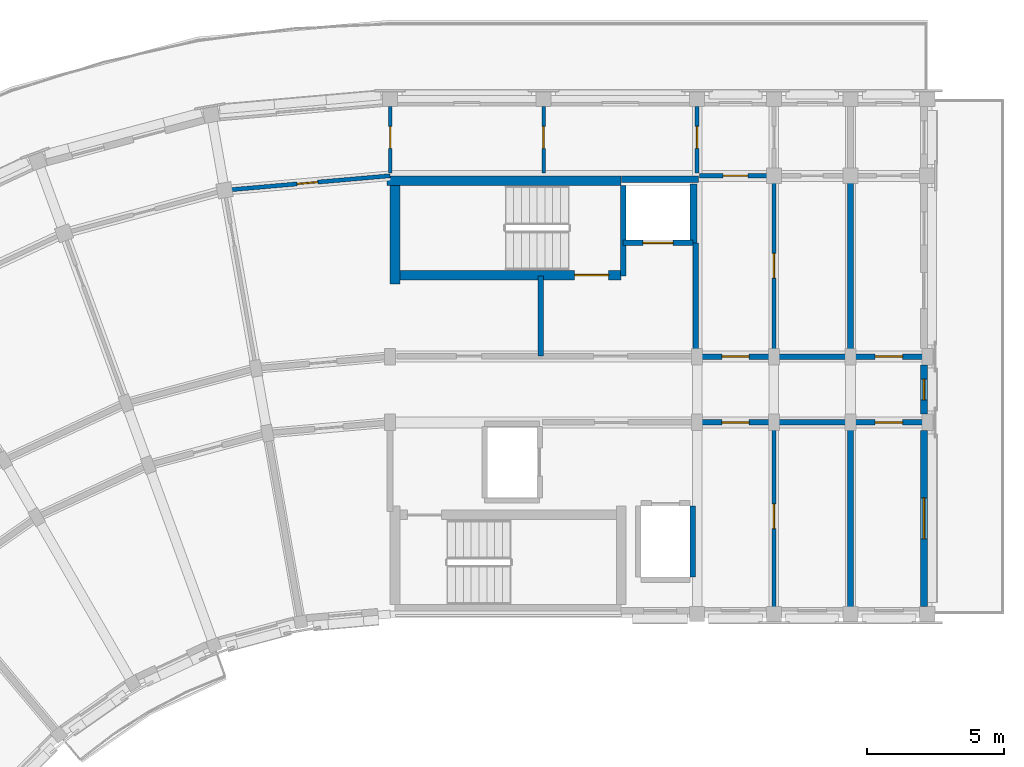
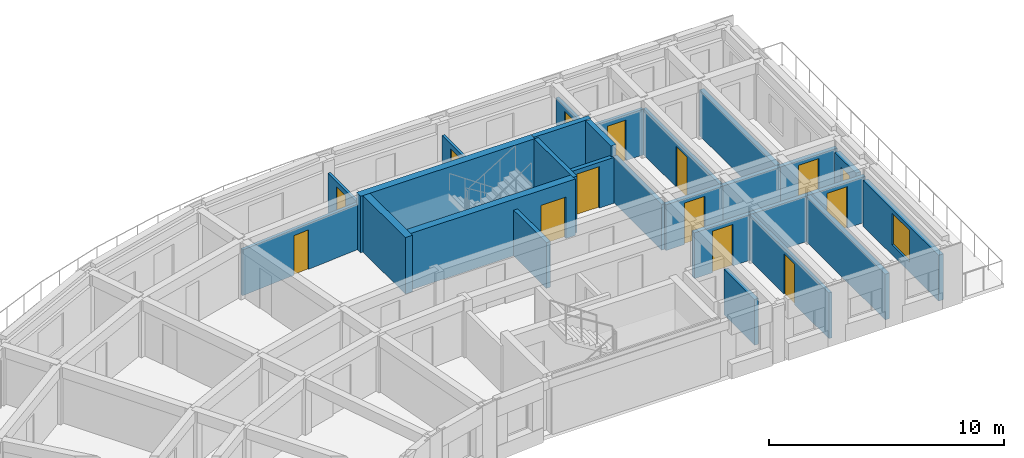
# One storey, part 10 of 16: 27 walls, 13 doors, 2 windows, 15 openings.
"""IFC4 building model written with IfcOpenShell, lengths in metres."""

from ifc_helpers import new_model, si_unit, direction, frame, frame_2d, origin, place, context, subcontext, project, spatial, rectangle, extrude, material, layer, layer_set, type_object, element, fill, save


model = new_model("IFC4")

# Units and contexts
model_context = context("Model", 3, precision=1e-05, world=origin(), true_north=direction((0.0, 1.0)))
body_context = subcontext(model_context, "Body", "Model", "MODEL_VIEW")
ifc_project = project(units=[si_unit("LENGTHUNIT", "METRE"), si_unit("AREAUNIT", "SQUARE_METRE"), si_unit("VOLUMEUNIT", "CUBIC_METRE"), si_unit("PLANEANGLEUNIT", "RADIAN"), si_unit("MASSUNIT", "GRAM", prefix="KILO")], contexts=[model_context])

# Site, building, storey
site_placement = place(None, origin())
site = spatial("IfcSite", under=ifc_project, at=site_placement, CompositionType="ELEMENT")
building_placement = place(site_placement, origin())
building = spatial("IfcBuilding", under=site, at=building_placement, Name="Kiranvali Square Residences", CompositionType="ELEMENT")
storey_placement = place(building_placement, frame((0.0, 0.0, 46.5)))
storey = spatial("IfcBuildingStorey", under=building, at=storey_placement, Name="L14", CompositionType="ELEMENT", Elevation=46.5)

# Wall, opening, door
ifc_material_1 = material(Name="Autoclaved aerated concrete blockwork masonry", Category="masonry")
ifc_layer_1 = layer(ifc_material_1, 0.199951171875)
ifc_layer_set_1 = layer_set([ifc_layer_1], Name="Autoclaved aerated concrete blockwork masonry")
wall_type_1 = type_object("IfcWallType", Name="WL-COR-200", PredefinedType="STANDARD", material=ifc_layer_set_1)
wall_1_placement = place(storey_placement, frame((59.39990234375, 113.60009765625, 0.0), z_axis=(0.0, 0.0, 1.0), x_axis=(1.0, 0.0, 0.0)))
wall_1 = element("IfcWall", 1, at=wall_1_placement, inside=storey, type_object=wall_type_1, Name="L14 architectural wall WL-L14-A-A1CI-0", PredefinedType="STANDARD", context=body_context, shape_type="SweptSolid", body=[
    extrude(rectangle(XDim=2.800048828125, YDim=0.199951171875, at=frame_2d((1.39990234375, 0.0))), origin(), (0.0, 0.0, 1.0), 2.3720703125),
])
opening_1_placement = place(wall_1_placement, frame((0.89990234375, 0.0, 0.0)))
opening_1 = element("IfcOpeningElement", 2, at=opening_1_placement, cuts=wall_1, Name="Opening FD-APT-60", PredefinedType="OPENING", context=body_context, shape_type="SweptSolid", body=[
    extrude(rectangle(XDim=1.0, YDim=2.14990234375, at=frame_2d((0.5, 1.074951171875))), frame((0.0, 0.10986328125, 0.0), z_axis=(0.0, -1.0, 0.0), x_axis=(1.0, 0.0, 0.0)), (0.0, 0.0, 1.0), 0.219970703125),
])
ifc_material_2 = material(Name="Fire-rated acoustic hardwood and mineral-core door assembly", Category="wood")
door_type_1 = type_object("IfcDoorType", Name="DR-APT-1000", OperationType="NOTDEFINED", PredefinedType="DOOR", material=ifc_material_2)
door_1_placement = place(opening_1_placement, frame((1.0, 0.0, 0.0), z_axis=(0.0, 0.0, 1.0), x_axis=(-1.0, 0.0, 0.0)))
door_1 = element("IfcDoor", 3, at=door_1_placement, inside=storey, type_object=door_type_1, Name="L14 door DR-L14-0860 (DR-APT-1000)", OperationType="SINGLE_SWING_RIGHT", OverallHeight=2.14990234375, OverallWidth=1.0, PredefinedType="DOOR", context=body_context, shape_type="SweptSolid", body=[
    extrude(rectangle(XDim=1.0, YDim=2.14990234375, at=frame_2d((0.5, 1.074951171875))), frame((0.0, 0.02490234375, 0.0), z_axis=(0.0, -1.0, 0.0), x_axis=(1.0, 0.0, 0.0)), (0.0, 0.0, 1.0), 0.050048828125),
])
fill(opening_1, door_1)

wall_2_placement = place(storey_placement, frame((59.39990234375, 116.0, 0.0), z_axis=(0.0, 0.0, 1.0), x_axis=(1.0, 0.0, 0.0)))
wall_2 = element("IfcWall", 4, at=wall_2_placement, inside=storey, type_object=wall_type_1, Name="L14 architectural wall WL-L14-A-A1CO-0", PredefinedType="STANDARD", context=body_context, shape_type="SweptSolid", body=[
    extrude(rectangle(XDim=2.800048828125, YDim=0.199951171875, at=frame_2d((1.39990234375, 0.0))), origin(), (0.0, 0.0, 1.0), 2.3720703125),
])
opening_2_placement = place(wall_2_placement, frame((0.89990234375, 0.0, 0.0)))
opening_2 = element("IfcOpeningElement", 5, at=opening_2_placement, cuts=wall_2, Name="Opening FD-APT-60", PredefinedType="OPENING", context=body_context, shape_type="SweptSolid", body=[
    extrude(rectangle(XDim=1.0, YDim=2.14990234375, at=frame_2d((0.5, 1.074951171875))), frame((0.0, 0.10986328125, 0.0), z_axis=(0.0, -1.0, 0.0), x_axis=(1.0, 0.0, 0.0)), (0.0, 0.0, 1.0), 0.219970703125),
])
door_2_placement = place(opening_2_placement, frame((1.0, 0.0, 0.0), z_axis=(0.0, 0.0, 1.0), x_axis=(-1.0, 0.0, 0.0)))
door_2 = element("IfcDoor", 6, at=door_2_placement, inside=storey, type_object=door_type_1, Name="L14 door DR-L14-0862 (DR-APT-1000)", OperationType="SINGLE_SWING_RIGHT", OverallHeight=2.14990234375, OverallWidth=1.0, PredefinedType="DOOR", context=body_context, shape_type="SweptSolid", body=[
    extrude(rectangle(XDim=1.0, YDim=2.14990234375, at=frame_2d((0.5, 1.074951171875))), frame((0.0, 0.02490234375, 0.0), z_axis=(0.0, -1.0, 0.0), x_axis=(1.0, 0.0, 0.0)), (0.0, 0.0, 1.0), 0.050048828125),
])
fill(opening_2, door_2)

# Walls
for number, where, z_axis, x_axis, name in (
    (7, (62.199951171875, 113.60009765625, 0.0), (0.0, 0.0, 1.0), (1.0, 0.0, 0.0), "L14 architectural wall WL-L14-A-A1CI-1"),
    (8, (62.199951171875, 116.0, 0.0), (0.0, 0.0, 1.0), (1.0, 0.0, 0.0), "L14 architectural wall WL-L14-A-A1CO-1"),
):
    element("IfcWall", number, at=place(storey_placement, frame(where, z_axis=z_axis, x_axis=x_axis)), inside=storey, type_object=wall_type_1, Name=name, PredefinedType="STANDARD", context=body_context, shape_type="SweptSolid", body=[
        extrude(rectangle(XDim=2.800048828125, YDim=0.199951171875, at=frame_2d((1.39990234375, 0.0))), origin(), (0.0, 0.0, 1.0), 2.3720703125),
    ])

# Wall, opening, door
wall_3_placement = place(storey_placement, frame((65.0, 113.60009765625, 0.0), z_axis=(0.0, 0.0, 1.0), x_axis=(1.0, 0.0, 0.0)))
wall_3 = element("IfcWall", 9, at=wall_3_placement, inside=storey, type_object=wall_type_1, Name="L14 architectural wall WL-L14-A-A1CI-2", PredefinedType="STANDARD", context=body_context, shape_type="SweptSolid", body=[
    extrude(rectangle(XDim=2.800048828125, YDim=0.199951171875, at=frame_2d((1.39990234375, 0.0))), origin(), (0.0, 0.0, 1.0), 2.3720703125),
])
opening_3_placement = place(wall_3_placement, frame((0.89990234375, 0.0, 0.0)))
opening_3 = element("IfcOpeningElement", 10, at=opening_3_placement, cuts=wall_3, Name="Opening FD-APT-60", PredefinedType="OPENING", context=body_context, shape_type="SweptSolid", body=[
    extrude(rectangle(XDim=1.0, YDim=2.14990234375, at=frame_2d((0.5, 1.074951171875))), frame((0.0, 0.10986328125, 0.0), z_axis=(0.0, -1.0, 0.0), x_axis=(1.0, 0.0, 0.0)), (0.0, 0.0, 1.0), 0.219970703125),
])
door_3_placement = place(opening_3_placement, frame((1.0, 0.0, 0.0), z_axis=(0.0, 0.0, 1.0), x_axis=(-1.0, 0.0, 0.0)))
door_3 = element("IfcDoor", 11, at=door_3_placement, inside=storey, type_object=door_type_1, Name="L14 door DR-L14-0864 (DR-APT-1000)", OperationType="SINGLE_SWING_RIGHT", OverallHeight=2.14990234375, OverallWidth=1.0, PredefinedType="DOOR", context=body_context, shape_type="SweptSolid", body=[
    extrude(rectangle(XDim=1.0, YDim=2.14990234375, at=frame_2d((0.5, 1.074951171875))), frame((0.0, 0.02490234375, 0.0), z_axis=(0.0, -1.0, 0.0), x_axis=(1.0, 0.0, 0.0)), (0.0, 0.0, 1.0), 0.050048828125),
])
fill(opening_3, door_3)

wall_4_placement = place(storey_placement, frame((65.0, 116.0, 0.0), z_axis=(0.0, 0.0, 1.0), x_axis=(1.0, 0.0, 0.0)))
wall_4 = element("IfcWall", 12, at=wall_4_placement, inside=storey, type_object=wall_type_1, Name="L14 architectural wall WL-L14-A-A1CO-2", PredefinedType="STANDARD", context=body_context, shape_type="SweptSolid", body=[
    extrude(rectangle(XDim=2.800048828125, YDim=0.199951171875, at=frame_2d((1.39990234375, 0.0))), origin(), (0.0, 0.0, 1.0), 2.3720703125),
])
opening_4_placement = place(wall_4_placement, frame((0.89990234375, 0.0, 0.0)))
opening_4 = element("IfcOpeningElement", 13, at=opening_4_placement, cuts=wall_4, Name="Opening FD-APT-60", PredefinedType="OPENING", context=body_context, shape_type="SweptSolid", body=[
    extrude(rectangle(XDim=1.0, YDim=2.14990234375, at=frame_2d((0.5, 1.074951171875))), frame((0.0, 0.10986328125, 0.0), z_axis=(0.0, -1.0, 0.0), x_axis=(1.0, 0.0, 0.0)), (0.0, 0.0, 1.0), 0.219970703125),
])
door_4_placement = place(opening_4_placement, frame((1.0, 0.0, 0.0), z_axis=(0.0, 0.0, 1.0), x_axis=(-1.0, 0.0, 0.0)))
door_4 = element("IfcDoor", 14, at=door_4_placement, inside=storey, type_object=door_type_1, Name="L14 door DR-L14-0866 (DR-APT-1000)", OperationType="SINGLE_SWING_RIGHT", OverallHeight=2.14990234375, OverallWidth=1.0, PredefinedType="DOOR", context=body_context, shape_type="SweptSolid", body=[
    extrude(rectangle(XDim=1.0, YDim=2.14990234375, at=frame_2d((0.5, 1.074951171875))), frame((0.0, 0.02490234375, 0.0), z_axis=(0.0, -1.0, 0.0), x_axis=(1.0, 0.0, 0.0)), (0.0, 0.0, 1.0), 0.050048828125),
])
fill(opening_4, door_4)

# Walls
ifc_layer_2 = layer(ifc_material_1, 0.219970703125)
ifc_layer_set_2 = layer_set([ifc_layer_2], Name="Autoclaved aerated concrete blockwork masonry")
wall_type_2 = type_object("IfcWallType", Name="WL-DEM-220", PredefinedType="STANDARD", material=ifc_layer_set_2)
wall_5_placement = place(storey_placement, frame((65.0, 106.800048828125, 0.0), z_axis=(0.0, 0.0, 1.0), x_axis=(0.0, 1.0, 0.0)))
element("IfcWall", 15, at=wall_5_placement, inside=storey, type_object=wall_type_2, Name="L14 architectural wall WL-L14-A-A1TI-2", PredefinedType="STANDARD", context=body_context, shape_type="SweptSolid", body=[
    extrude(rectangle(XDim=6.75, YDim=0.219970703125, at=frame_2d((3.375, 0.0))), origin(), (0.0, 0.0, 1.0), 2.3720703125),
])
wall_6_placement = place(storey_placement, frame((65.0, 116.050048828125, 0.0), z_axis=(0.0, 0.0, 1.0), x_axis=(0.0, 1.0, 0.0)))
element("IfcWall", 16, at=wall_6_placement, inside=storey, type_object=wall_type_2, Name="L14 architectural wall WL-L14-A-A1TO1-2", PredefinedType="STANDARD", context=body_context, shape_type="SweptSolid", body=[
    extrude(rectangle(XDim=6.530029296875, YDim=0.219970703125, at=frame_2d((3.26513671875, 0.0))), origin(), (0.0, 0.0, 1.0), 2.3720703125),
])

# Wall, opening, window
ifc_material_3 = material(Name="Breathable lime-rendered clay brick masonry", Category="masonry")
ifc_layer_3 = layer(ifc_material_3, 0.25)
ifc_layer_set_3 = layer_set([ifc_layer_3], Name="Breathable lime-rendered clay brick masonry")
wall_type_3 = type_object("IfcWallType", Name="WL-EXT-250", PredefinedType="STANDARD", material=ifc_layer_set_3)
wall_7_placement = place(storey_placement, frame((67.675048828125, 106.87841796875, 0.0), z_axis=(0.0, 0.0, 1.0), x_axis=(0.0, 1.0, 0.0)))
wall_7 = element("IfcWall", 17, at=wall_7_placement, inside=storey, type_object=wall_type_3, Name="L14 exterior wall A-L14-A1END-0", PredefinedType="STANDARD", context=body_context, shape_type="SweptSolid", body=[
    extrude(rectangle(XDim=6.41796875, YDim=0.25, at=frame_2d((3.208984375, 0.0))), origin(), (0.0, 0.0, 1.0), 2.3720703125),
])
opening_5_placement = place(wall_7_placement, frame((2.471435546875, 0.0, 0.52197265625)))
opening_5 = element("IfcOpeningElement", 18, at=opening_5_placement, cuts=wall_7, Name="Opening W-05", PredefinedType="OPENING", context=body_context, shape_type="SweptSolid", body=[
    extrude(rectangle(XDim=1.5, YDim=1.64990234375, at=frame_2d((0.75, 0.824951171875))), frame((0.0, 0.135009765625, 0.0), z_axis=(0.0, -1.0, 0.0), x_axis=(1.0, 0.0, 0.0)), (0.0, 0.0, 1.0), 0.27001953125),
])
ifc_material_4 = material(Name="Solar-control low-e double glazing", Category="glass")
window_type_1 = type_object("IfcWindowType", Name="WIN-RES-1500x1650", PartitioningType="DOUBLE_PANEL_VERTICAL", PredefinedType="WINDOW", material=ifc_material_4)
window_1_placement = place(opening_5_placement, origin())
window_1 = element("IfcWindow", 19, at=window_1_placement, inside=storey, type_object=window_type_1, Name="L14 recessed window A-L14-A1END-0", OverallHeight=1.64990234375, OverallWidth=1.5, PartitioningType="DOUBLE_PANEL_VERTICAL", PredefinedType="WINDOW", context=body_context, shape_type="SweptSolid", body=[
    extrude(rectangle(XDim=1.5, YDim=1.64990234375, at=frame_2d((0.75, 0.824951171875))), frame((0.0, 0.030029296875, 0.0), z_axis=(0.0, -1.0, 0.0), x_axis=(1.0, 0.0, 0.0)), (0.0, 0.0, 1.0), 0.06005859375),
])
fill(opening_5, window_1)

wall_8_placement = place(storey_placement, frame((67.675048828125, 113.903564453125, 0.0), z_axis=(0.0, 0.0, 1.0), x_axis=(0.0, 1.0, 0.0)))
wall_8 = element("IfcWall", 20, at=wall_8_placement, inside=storey, type_object=wall_type_3, Name="L14 exterior wall A-L14-A1END-1", PredefinedType="STANDARD", context=body_context, shape_type="SweptSolid", body=[
    extrude(rectangle(XDim=1.79296875, YDim=0.25, at=frame_2d((0.896484375, 0.0))), origin(), (0.0, 0.0, 1.0), 2.3720703125),
])
opening_6_placement = place(wall_8_placement, frame((0.521484375, 0.0, 0.8798828125)))
opening_6 = element("IfcOpeningElement", 21, at=opening_6_placement, cuts=wall_8, Name="Opening W-07", PredefinedType="OPENING", context=body_context, shape_type="SweptSolid", body=[
    extrude(rectangle(XDim=0.75, YDim=1.050048828125, at=frame_2d((0.375, 0.52490234375))), frame((0.0, 0.135009765625, 0.0), z_axis=(0.0, -1.0, 0.0), x_axis=(1.0, 0.0, 0.0)), (0.0, 0.0, 1.0), 0.27001953125),
])
window_type_2 = type_object("IfcWindowType", Name="WIN-WET-750x1050", PartitioningType="SINGLE_PANEL", PredefinedType="WINDOW", material=ifc_material_4)
window_2_placement = place(opening_6_placement, origin())
window_2 = element("IfcWindow", 22, at=window_2_placement, inside=storey, type_object=window_type_2, Name="L14 recessed window A-L14-A1END-1", OverallHeight=1.050048828125, OverallWidth=0.75, PartitioningType="SINGLE_PANEL", PredefinedType="WINDOW", context=body_context, shape_type="SweptSolid", body=[
    extrude(rectangle(XDim=0.75, YDim=1.050048828125, at=frame_2d((0.375, 0.52490234375))), frame((0.0, 0.030029296875, 0.0), z_axis=(0.0, -1.0, 0.0), x_axis=(1.0, 0.0, 0.0)), (0.0, 0.0, 1.0), 0.06005859375),
])
fill(opening_6, window_2)

# Walls
ifc_layer_4 = layer(ifc_material_1, 0.199951171875)
ifc_layer_set_4 = layer_set([ifc_layer_4], Name="Autoclaved aerated concrete blockwork masonry")
wall_type_4 = type_object("IfcWallType", Name="WL-FFL-200", PredefinedType="STANDARD", material=ifc_layer_set_4)
wall_9_placement = place(storey_placement, frame((53.699951171875, 116.02001953125, 0.0), z_axis=(0.0, 0.0, 1.0), x_axis=(0.0, 1.0, 0.0)))
element("IfcWall", 23, at=wall_9_placement, inside=storey, type_object=wall_type_4, Name="L14 architectural wall WL-L14-A-FF-DIV", PredefinedType="STANDARD", context=body_context, shape_type="SweptSolid", body=[
    extrude(rectangle(XDim=2.929931640625, YDim=0.199951171875, at=frame_2d((1.46484375, 0.0))), origin(), (0.0, 0.0, 1.0), 2.3720703125),
])
wall_10_placement = place(storey_placement, frame((59.35009765625, 116.02001953125, 0.0), z_axis=(0.0, 0.0, 1.0), x_axis=(0.0, 1.0, 0.0)))
element("IfcWall", 24, at=wall_10_placement, inside=storey, type_object=wall_type_4, Name="L14 architectural wall WL-L14-A-FF-END", PredefinedType="STANDARD", context=body_context, shape_type="SweptSolid", body=[
    extrude(rectangle(XDim=4.1298828125, YDim=0.199951171875, at=frame_2d((2.06494140625, 0.0))), origin(), (0.0, 0.0, 1.0), 2.3720703125),
])

# Wall, opening, door
wall_11_placement = place(storey_placement, frame((56.699951171875, 120.14990234375, 0.0), z_axis=(0.0, 0.0, 1.0), x_axis=(1.0, 0.0, 0.0)))
wall_11 = element("IfcWall", 25, at=wall_11_placement, inside=storey, type_object=wall_type_4, Name="L14 architectural wall WL-L14-A-FF-LFT", PredefinedType="STANDARD", context=body_context, shape_type="SweptSolid", body=[
    extrude(rectangle(XDim=2.550048828125, YDim=0.199951171875, at=frame_2d((1.27490234375, 0.0))), origin(), (0.0, 0.0, 1.0), 2.3720703125),
])
opening_7_placement = place(wall_11_placement, frame((0.72509765625, 0.0, 0.0)))
opening_7 = element("IfcOpeningElement", 26, at=opening_7_placement, cuts=wall_11, Name="Opening LD-FF-110", PredefinedType="OPENING", context=body_context, shape_type="SweptSolid", body=[
    extrude(rectangle(XDim=1.10009765625, YDim=2.14990234375, at=frame_2d((0.550048828125, 1.074951171875))), frame((0.0, 0.10986328125, 0.0), z_axis=(0.0, -1.0, 0.0), x_axis=(1.0, 0.0, 0.0)), (0.0, 0.0, 1.0), 0.219970703125),
])
door_type_2 = type_object("IfcDoorType", Name="DR-LIFT-FF-1100", OperationType="SLIDING_TO_LEFT", PredefinedType="DOOR", material=ifc_material_2)
door_5_placement = place(opening_7_placement, origin())
door_5 = element("IfcDoor", 27, at=door_5_placement, inside=storey, type_object=door_type_2, Name="L14 door DR-L14-0850 (DR-LIFT-FF-1100)", OperationType="SLIDING_TO_LEFT", OverallHeight=2.14990234375, OverallWidth=1.10009765625, PredefinedType="DOOR", context=body_context, shape_type="SweptSolid", body=[
    extrude(rectangle(XDim=1.10009765625, YDim=2.14990234375, at=frame_2d((0.550048828125, 1.074951171875))), frame((0.0, 0.02490234375, 0.0), z_axis=(0.0, -1.0, 0.0), x_axis=(1.0, 0.0, 0.0)), (0.0, 0.0, 1.0), 0.050048828125),
])
fill(opening_7, door_5)

ifc_material_5 = material(Name="Acoustic gypsum board drylined partition", Category="gypsum")
ifc_layer_5 = layer(ifc_material_5, 0.125)
ifc_layer_set_5 = layer_set([ifc_layer_5], Name="Acoustic gypsum board drylined partition")
wall_type_5 = type_object("IfcWallType", Name="WL-PRT-125", PredefinedType="PARTITIONING", material=ifc_layer_set_5)
wall_12_placement = place(storey_placement, frame((53.800048828125, 122.699951171875, 0.0), z_axis=(0.0, 0.0, 1.0), x_axis=(0.0, 1.0, 0.0)))
wall_12 = element("IfcWall", 28, at=wall_12_placement, inside=storey, type_object=wall_type_5, Name="L14 architectural wall WL-L14-A-CF-MID", PredefinedType="PARTITIONING", context=body_context, shape_type="SweptSolid", body=[
    extrude(rectangle(XDim=2.420166015625, YDim=0.125, at=frame_2d((1.2099609375, 0.0))), origin(), (0.0, 0.0, 1.0), 2.3720703125),
])
opening_8_placement = place(wall_12_placement, frame((0.89990234375, 0.0, 0.0)))
opening_8 = element("IfcOpeningElement", 29, at=opening_8_placement, cuts=wall_12, Name="Opening ID-WET", PredefinedType="OPENING", context=body_context, shape_type="SweptSolid", body=[
    extrude(rectangle(XDim=0.800048828125, YDim=2.10009765625, at=frame_2d((0.39990234375, 1.050048828125))), frame((0.0, 0.072509765625, 0.0), z_axis=(0.0, -1.0, 0.0), x_axis=(1.0, 0.0, 0.0)), (0.0, 0.0, 1.0), 0.14501953125),
])
ifc_material_6 = material(Name="Solid seasoned teak hardwood joinery", Category="wood")
door_type_3 = type_object("IfcDoorType", Name="DR-WET-800", OperationType="NOTDEFINED", PredefinedType="DOOR", material=ifc_material_6)
door_6_placement = place(opening_8_placement, origin())
door_6 = element("IfcDoor", 30, at=door_6_placement, inside=storey, type_object=door_type_3, Name="L14 door DR-L14-0859 (DR-WET-800)", OperationType="SINGLE_SWING_LEFT", OverallHeight=2.10009765625, OverallWidth=0.800048828125, PredefinedType="DOOR", context=body_context, shape_type="SweptSolid", body=[
    extrude(rectangle(XDim=0.800048828125, YDim=2.10009765625, at=frame_2d((0.39990234375, 1.050048828125))), frame((0.0, 0.02490234375, 0.0), z_axis=(0.0, -1.0, 0.0), x_axis=(1.0, 0.0, 0.0)), (0.0, 0.0, 1.0), 0.050048828125),
])
fill(opening_8, door_6)

wall_13_placement = place(storey_placement, frame((48.199951171875, 122.699951171875, 0.0), z_axis=(0.0, 0.0, 1.0), x_axis=(0.0, 1.0, 0.0)))
wall_13 = element("IfcWall", 31, at=wall_13_placement, inside=storey, type_object=wall_type_5, Name="L14 architectural wall WL-L14-A-RADO-0", PredefinedType="PARTITIONING", context=body_context, shape_type="SweptSolid", body=[
    extrude(rectangle(XDim=2.420166015625, YDim=0.125, at=frame_2d((1.2099609375, 0.0))), origin(), (0.0, 0.0, 1.0), 2.3720703125),
])
opening_9_placement = place(wall_13_placement, frame((0.89990234375, 0.0, 0.0)))
opening_9 = element("IfcOpeningElement", 32, at=opening_9_placement, cuts=wall_13, Name="Opening ID-WET", PredefinedType="OPENING", context=body_context, shape_type="SweptSolid", body=[
    extrude(rectangle(XDim=0.800048828125, YDim=2.10009765625, at=frame_2d((0.39990234375, 1.050048828125))), frame((0.0, 0.072509765625, 0.0), z_axis=(0.0, -1.0, 0.0), x_axis=(1.0, 0.0, 0.0)), (0.0, 0.0, 1.0), 0.14501953125),
])
door_7_placement = place(opening_9_placement, origin())
door_7 = element("IfcDoor", 33, at=door_7_placement, inside=storey, type_object=door_type_3, Name="L14 door DR-L14-0871 (DR-WET-800)", OperationType="SINGLE_SWING_LEFT", OverallHeight=2.10009765625, OverallWidth=0.800048828125, PredefinedType="DOOR", context=body_context, shape_type="SweptSolid", body=[
    extrude(rectangle(XDim=0.800048828125, YDim=2.10009765625, at=frame_2d((0.39990234375, 1.050048828125))), frame((0.0, 0.02490234375, 0.0), z_axis=(0.0, -1.0, 0.0), x_axis=(1.0, 0.0, 0.0)), (0.0, 0.0, 1.0), 0.050048828125),
])
fill(opening_9, door_7)

ifc_layer_6 = layer(ifc_material_5, 0.14990234375)
ifc_layer_set_6 = layer_set([ifc_layer_6], Name="Acoustic gypsum board drylined partition")
wall_type_6 = type_object("IfcWallType", Name="WL-PRT-150", PredefinedType="PARTITIONING", material=ifc_layer_set_6)
wall_14_placement = place(storey_placement, frame((59.39990234375, 122.699951171875, 0.0), z_axis=(0.0, 0.0, 1.0), x_axis=(0.0, 1.0, 0.0)))
wall_14 = element("IfcWall", 34, at=wall_14_placement, inside=storey, type_object=wall_type_6, Name="L14 architectural wall WL-L14-A-A1TO2-0", PredefinedType="PARTITIONING", context=body_context, shape_type="SweptSolid", body=[
    extrude(rectangle(XDim=2.420166015625, YDim=0.14990234375, at=frame_2d((1.2099609375, 0.0))), origin(), (0.0, 0.0, 1.0), 2.3720703125),
])
opening_10_placement = place(wall_14_placement, frame((0.89990234375, 0.0, 0.0)))
opening_10 = element("IfcOpeningElement", 35, at=opening_10_placement, cuts=wall_14, Name="Opening ID-WET", PredefinedType="OPENING", context=body_context, shape_type="SweptSolid", body=[
    extrude(rectangle(XDim=0.800048828125, YDim=2.10009765625, at=frame_2d((0.39990234375, 1.050048828125))), frame((0.0, 0.0849609375, 0.0), z_axis=(0.0, -1.0, 0.0), x_axis=(1.0, 0.0, 0.0)), (0.0, 0.0, 1.0), 0.169921875),
])
door_8_placement = place(opening_10_placement, origin())
door_8 = element("IfcDoor", 36, at=door_8_placement, inside=storey, type_object=door_type_3, Name="L14 door DR-L14-0867 (DR-WET-800)", OperationType="SINGLE_SWING_LEFT", OverallHeight=2.10009765625, OverallWidth=0.800048828125, PredefinedType="DOOR", context=body_context, shape_type="SweptSolid", body=[
    extrude(rectangle(XDim=0.800048828125, YDim=2.10009765625, at=frame_2d((0.39990234375, 1.050048828125))), frame((0.0, 0.02490234375, 0.0), z_axis=(0.0, -1.0, 0.0), x_axis=(1.0, 0.0, 0.0)), (0.0, 0.0, 1.0), 0.050048828125),
])
fill(opening_10, door_8)

wall_15_placement = place(storey_placement, frame((62.199951171875, 106.800048828125, 0.0), z_axis=(0.0, 0.0, 1.0), x_axis=(0.0, 1.0, 0.0)))
wall_15 = element("IfcWall", 37, at=wall_15_placement, inside=storey, type_object=wall_type_6, Name="L14 architectural wall WL-L14-A-A1TI-1", PredefinedType="PARTITIONING", context=body_context, shape_type="SweptSolid", body=[
    extrude(rectangle(XDim=6.75, YDim=0.14990234375, at=frame_2d((3.375, 0.0))), origin(), (0.0, 0.0, 1.0), 2.3720703125),
])
opening_11_placement = place(wall_15_placement, frame((2.925048828125, 0.0, 0.0)))
opening_11 = element("IfcOpeningElement", 38, at=opening_11_placement, cuts=wall_15, Name="Opening ID-1", PredefinedType="OPENING", context=body_context, shape_type="SweptSolid", body=[
    extrude(rectangle(XDim=0.89990234375, YDim=2.10009765625, at=frame_2d((0.449951171875, 1.050048828125))), frame((0.0, 0.0849609375, 0.0), z_axis=(0.0, -1.0, 0.0), x_axis=(1.0, 0.0, 0.0)), (0.0, 0.0, 1.0), 0.169921875),
])
door_type_4 = type_object("IfcDoorType", Name="DR-INT-900", OperationType="NOTDEFINED", PredefinedType="DOOR", material=ifc_material_6)
door_9_placement = place(opening_11_placement, frame((0.89990234375, 0.0, 0.0), z_axis=(0.0, 0.0, 1.0), x_axis=(-1.0, 0.0, 0.0)))
door_9 = element("IfcDoor", 39, at=door_9_placement, inside=storey, type_object=door_type_4, Name="L14 door DR-L14-0868 (DR-INT-900)", OperationType="SINGLE_SWING_RIGHT", OverallHeight=2.10009765625, OverallWidth=0.89990234375, PredefinedType="DOOR", context=body_context, shape_type="SweptSolid", body=[
    extrude(rectangle(XDim=0.89990234375, YDim=2.10009765625, at=frame_2d((0.449951171875, 1.050048828125))), frame((0.0, 0.02490234375, 0.0), z_axis=(0.0, -1.0, 0.0), x_axis=(1.0, 0.0, 0.0)), (0.0, 0.0, 1.0), 0.050048828125),
])
fill(opening_11, door_9)

wall_16_placement = place(storey_placement, frame((62.199951171875, 116.050048828125, 0.0), z_axis=(0.0, 0.0, 1.0), x_axis=(0.0, 1.0, 0.0)))
wall_16 = element("IfcWall", 40, at=wall_16_placement, inside=storey, type_object=wall_type_6, Name="L14 architectural wall WL-L14-A-A1TO1-1", PredefinedType="PARTITIONING", context=body_context, shape_type="SweptSolid", body=[
    extrude(rectangle(XDim=6.530029296875, YDim=0.14990234375, at=frame_2d((3.26513671875, 0.0))), origin(), (0.0, 0.0, 1.0), 2.3720703125),
])
opening_12_placement = place(wall_16_placement, frame((2.81494140625, 0.0, 0.0)))
opening_12 = element("IfcOpeningElement", 41, at=opening_12_placement, cuts=wall_16, Name="Opening ID-1", PredefinedType="OPENING", context=body_context, shape_type="SweptSolid", body=[
    extrude(rectangle(XDim=0.89990234375, YDim=2.10009765625, at=frame_2d((0.449951171875, 1.050048828125))), frame((0.0, 0.0849609375, 0.0), z_axis=(0.0, -1.0, 0.0), x_axis=(1.0, 0.0, 0.0)), (0.0, 0.0, 1.0), 0.169921875),
])
door_10_placement = place(opening_12_placement, origin())
door_10 = element("IfcDoor", 42, at=door_10_placement, inside=storey, type_object=door_type_4, Name="L14 door DR-L14-0869 (DR-INT-900)", OperationType="SINGLE_SWING_LEFT", OverallHeight=2.10009765625, OverallWidth=0.89990234375, PredefinedType="DOOR", context=body_context, shape_type="SweptSolid", body=[
    extrude(rectangle(XDim=0.89990234375, YDim=2.10009765625, at=frame_2d((0.449951171875, 1.050048828125))), frame((0.0, 0.02490234375, 0.0), z_axis=(0.0, -1.0, 0.0), x_axis=(1.0, 0.0, 0.0)), (0.0, 0.0, 1.0), 0.050048828125),
])
fill(opening_12, door_10)

# Walls
ifc_layer_7 = layer(ifc_material_1, 0.199951171875)
ifc_layer_set_7 = layer_set([ifc_layer_7], Name="Autoclaved aerated concrete blockwork masonry")
wall_type_7 = type_object("IfcWallType", Name="WL-SHF-200", PredefinedType="STANDARD", material=ifc_layer_set_7)
wall_17_placement = place(storey_placement, frame((56.699951171875, 118.949951171875, 0.0), z_axis=(0.0, 0.0, 1.0), x_axis=(0.0, 1.0, 0.0)))
element("IfcWall", 43, at=wall_17_placement, inside=storey, type_object=wall_type_7, Name="L14 architectural wall WL-L14-A-FF-SHF", PredefinedType="STANDARD", context=body_context, shape_type="SweptSolid", body=[
    extrude(rectangle(XDim=3.300048828125, YDim=0.199951171875, at=frame_2d((1.64990234375, 0.0))), origin(), (0.0, 0.0, 1.0), 2.929931640625),
])
wall_18_placement = place(storey_placement, frame((59.25, 107.949951171875, 0.0), z_axis=(0.0, 0.0, 1.0), x_axis=(0.0, 1.0, 0.0)))
element("IfcWall", 44, at=wall_18_placement, inside=storey, type_object=wall_type_7, Name="L14 architectural wall WL-L14-A-LP1-B", PredefinedType="STANDARD", context=body_context, shape_type="SweptSolid", body=[
    extrude(rectangle(XDim=2.60009765625, YDim=0.199951171875, at=frame_2d((1.300048828125, 0.0))), origin(), (0.0, 0.0, 1.0), 2.3720703125),
])
ifc_material_7 = material(Name="Concrete M45 (45 MPa)", Category="concrete")
ifc_layer_8 = layer(ifc_material_7, 0.25)
ifc_layer_set_8 = layer_set([ifc_layer_8], Name="Concrete M45 (45 MPa)")
wall_type_8 = type_object("IfcWallType", Name="WL-SHR-250", PredefinedType="SHEAR", material=ifc_layer_set_8)
wall_19_placement = place(storey_placement, frame((56.64990234375, 122.47509765625, 0.0), z_axis=(0.0, 0.0, 1.0), x_axis=(1.0, 0.0, 0.0)))
element("IfcWall", 45, at=wall_19_placement, inside=storey, type_object=wall_type_8, Name="Block A core shear wall SW-AFF-BK-L14", PredefinedType="SHEAR", context=body_context, shape_type="SweptSolid", body=[
    extrude(rectangle(XDim=2.800048828125, YDim=0.25, at=frame_2d((1.39990234375, 0.0))), origin(), (0.0, 0.0, 1.0), 2.929931640625),
])
wall_20_placement = place(storey_placement, frame((59.27490234375, 120.14990234375, 0.0), z_axis=(0.0, 0.0, 1.0), x_axis=(0.0, 1.0, 0.0)))
element("IfcWall", 46, at=wall_20_placement, inside=storey, type_object=wall_type_8, Name="Block A core shear wall SW-AFF-SD-L14", PredefinedType="SHEAR", context=body_context, shape_type="SweptSolid", body=[
    extrude(rectangle(XDim=2.150146484375, YDim=0.25, at=frame_2d((1.0751953125, 0.0))), origin(), (0.0, 0.0, 1.0), 2.929931640625),
])
ifc_layer_9 = layer(ifc_material_7, 0.320068359375)
ifc_layer_set_9 = layer_set([ifc_layer_9], Name="Concrete M45 (45 MPa)")
wall_type_9 = type_object("IfcWallType", Name="WL-SHR-320", PredefinedType="SHEAR", material=ifc_layer_set_9)
wall_21_placement = place(storey_placement, frame((48.080078125, 122.425048828125, 0.0), z_axis=(0.0, 0.0, 1.0), x_axis=(1.0, 0.0, 0.0)))
element("IfcWall", 47, at=wall_21_placement, inside=storey, type_object=wall_type_9, Name="Block A core shear wall SW-A1-OUT-L14", PredefinedType="SHEAR", context=body_context, shape_type="SweptSolid", body=[
    extrude(rectangle(XDim=8.544921875, YDim=0.35009765625, at=frame_2d((4.2724609375, 0.0))), origin(), (0.0, 0.0, 1.0), 2.929931640625),
])

# Wall, opening, door
wall_22_placement = place(storey_placement, frame((48.550048828125, 118.97509765625, 0.0), z_axis=(0.0, 0.0, 1.0), x_axis=(1.0, 0.0, 0.0)))
wall_22 = element("IfcWall", 48, at=wall_22_placement, inside=storey, type_object=wall_type_9, Name="Block A core shear wall SW-A1-IN-L14", PredefinedType="SHEAR", context=body_context, shape_type="SweptSolid", body=[
    extrude(rectangle(XDim=8.074951171875, YDim=0.35009765625, at=frame_2d((4.03759765625, 0.0))), origin(), (0.0, 0.0, 1.0), 2.929931640625),
])
opening_13_placement = place(wall_22_placement, frame((6.3798828125, 0.0, 0.0)))
opening_13 = element("IfcOpeningElement", 49, at=opening_13_placement, cuts=wall_22, Name="Opening FD-ST-120", PredefinedType="OPENING", context=body_context, shape_type="SweptSolid", body=[
    extrude(rectangle(XDim=1.239990234375, YDim=2.14990234375, at=frame_2d((0.6201171875, 1.074951171875))), frame((0.0, 0.18505859375, 0.0), z_axis=(0.0, -1.0, 0.0), x_axis=(1.0, 0.0, 0.0)), (0.0, 0.0, 1.0), 0.3701171875),
])
door_type_5 = type_object("IfcDoorType", Name="DR-FD120-1200", OperationType="NOTDEFINED", PredefinedType="DOOR", material=ifc_material_2)
door_11_placement = place(opening_13_placement, origin())
door_11 = element("IfcDoor", 50, at=door_11_placement, inside=storey, type_object=door_type_5, Name="L14 door DR-L14-0851 (DR-FD120-1200)", OperationType="SINGLE_SWING_LEFT", OverallHeight=2.14990234375, OverallWidth=1.239990234375, PredefinedType="DOOR", context=body_context, shape_type="SweptSolid", body=[
    extrude(rectangle(XDim=1.239990234375, YDim=2.14990234375, at=frame_2d((0.6201171875, 1.074951171875))), frame((0.0, 0.02490234375, 0.0), z_axis=(0.0, -1.0, 0.0), x_axis=(1.0, 0.0, 0.0)), (0.0, 0.0, 1.0), 0.050048828125),
])
fill(opening_13, door_11)

# Wall
wall_23_placement = place(storey_placement, frame((48.375, 118.64990234375, 0.0), z_axis=(0.0, 0.0, 1.0), x_axis=(0.0, 1.0, 0.0)))
element("IfcWall", 51, at=wall_23_placement, inside=storey, type_object=wall_type_9, Name="Block A core shear wall SW-A1-FAR-L14", PredefinedType="SHEAR", context=body_context, shape_type="SweptSolid", body=[
    extrude(rectangle(XDim=3.60009765625, YDim=0.35009765625, at=frame_2d((1.800048828125, 0.0))), origin(), (0.0, 0.0, 1.0), 2.929931640625),
])

# Wall, opening, door
ifc_layer_10 = layer(ifc_material_1, 0.14990234375)
ifc_layer_set_10 = layer_set([ifc_layer_10], Name="Autoclaved aerated concrete blockwork masonry")
wall_type_10 = type_object("IfcWallType", Name="WL-WET-150", PredefinedType="PLUMBINGWALL", material=ifc_layer_set_10)
wall_24_placement = place(storey_placement, frame((59.47998046875, 122.60009765625, 0.0), z_axis=(0.0, 0.0, 1.0), x_axis=(1.0, 0.0, 0.0)))
wall_24 = element("IfcWall", 52, at=wall_24_placement, inside=storey, type_object=wall_type_10, Name="L14 architectural wall WL-L14-A-A1SP-0", PredefinedType="PLUMBINGWALL", context=body_context, shape_type="SweptSolid", body=[
    extrude(rectangle(XDim=2.64013671875, YDim=0.14990234375, at=frame_2d((1.320068359375, 0.0))), origin(), (0.0, 0.0, 1.0), 2.3720703125),
])
opening_14_placement = place(wall_24_placement, frame((0.8701171875, 0.0, 0.0)))
opening_14 = element("IfcOpeningElement", 53, at=opening_14_placement, cuts=wall_24, Name="Opening ID-1", PredefinedType="OPENING", context=body_context, shape_type="SweptSolid", body=[
    extrude(rectangle(XDim=0.89990234375, YDim=2.10009765625, at=frame_2d((0.449951171875, 1.050048828125))), frame((0.0, 0.0849609375, 0.0), z_axis=(0.0, -1.0, 0.0), x_axis=(1.0, 0.0, 0.0)), (0.0, 0.0, 1.0), 0.169921875),
])
door_12_placement = place(opening_14_placement, origin())
door_12 = element("IfcDoor", 54, at=door_12_placement, inside=storey, type_object=door_type_4, Name="L14 door DR-L14-0861 (DR-INT-900)", OperationType="SINGLE_SWING_LEFT", OverallHeight=2.10009765625, OverallWidth=0.89990234375, PredefinedType="DOOR", context=body_context, shape_type="SweptSolid", body=[
    extrude(rectangle(XDim=0.89990234375, YDim=2.10009765625, at=frame_2d((0.449951171875, 1.050048828125))), frame((0.0, 0.02490234375, 0.0), z_axis=(0.0, -1.0, 0.0), x_axis=(1.0, 0.0, 0.0)), (0.0, 0.0, 1.0), 0.050048828125),
])
fill(opening_14, door_12)

wall_25_placement = place(storey_placement, frame((48.199951171875, 122.60009765625, 0.0), z_axis=(0.0, 0.0, 1.0), x_axis=(-0.996193018494, -0.087174938512, 0.0)))
wall_25 = element("IfcWall", 55, at=wall_25_placement, inside=storey, type_object=wall_type_10, Name="L14 architectural wall WL-L14-A-CWET-0", PredefinedType="PLUMBINGWALL", context=body_context, shape_type="SweptSolid", body=[
    extrude(rectangle(XDim=6.066162109375, YDim=0.14990234375, at=frame_2d((3.033203125, 0.0))), origin(), (0.0, 0.0, 1.0), 2.3720703125),
])
opening_15_placement = place(wall_25_placement, frame((2.653076171875, 0.0, 0.0)))
opening_15 = element("IfcOpeningElement", 56, at=opening_15_placement, cuts=wall_25, Name="Opening ID-WET0", PredefinedType="OPENING", context=body_context, shape_type="SweptSolid", body=[
    extrude(rectangle(XDim=0.760009765625, YDim=2.050048828125, at=frame_2d((0.3798828125, 1.02490234375))), frame((0.0, 0.0849609375, 0.0), z_axis=(0.0, -1.0, 0.0), x_axis=(1.0, 0.0, 0.0)), (0.0, 0.0, 1.0), 0.169921875),
])
door_type_6 = type_object("IfcDoorType", Name="DR-WET-760", OperationType="NOTDEFINED", PredefinedType="DOOR", material=ifc_material_6)
door_13_placement = place(opening_15_placement, origin())
door_13 = element("IfcDoor", 57, at=door_13_placement, inside=storey, type_object=door_type_6, Name="L14 door DR-L14-0877 (DR-WET-760)", OperationType="SINGLE_SWING_LEFT", OverallHeight=2.050048828125, OverallWidth=0.760009765625, PredefinedType="DOOR", context=body_context, shape_type="SweptSolid", body=[
    extrude(rectangle(XDim=0.760009765625, YDim=2.050048828125, at=frame_2d((0.3798828125, 1.02490234375))), frame((0.0, 0.02490234375, 0.0), z_axis=(0.0, -1.0, 0.0), x_axis=(1.0, 0.0, 0.0)), (0.0, 0.0, 1.0), 0.050048828125),
])
fill(opening_15, door_13)

save(model, "model.ifc")
